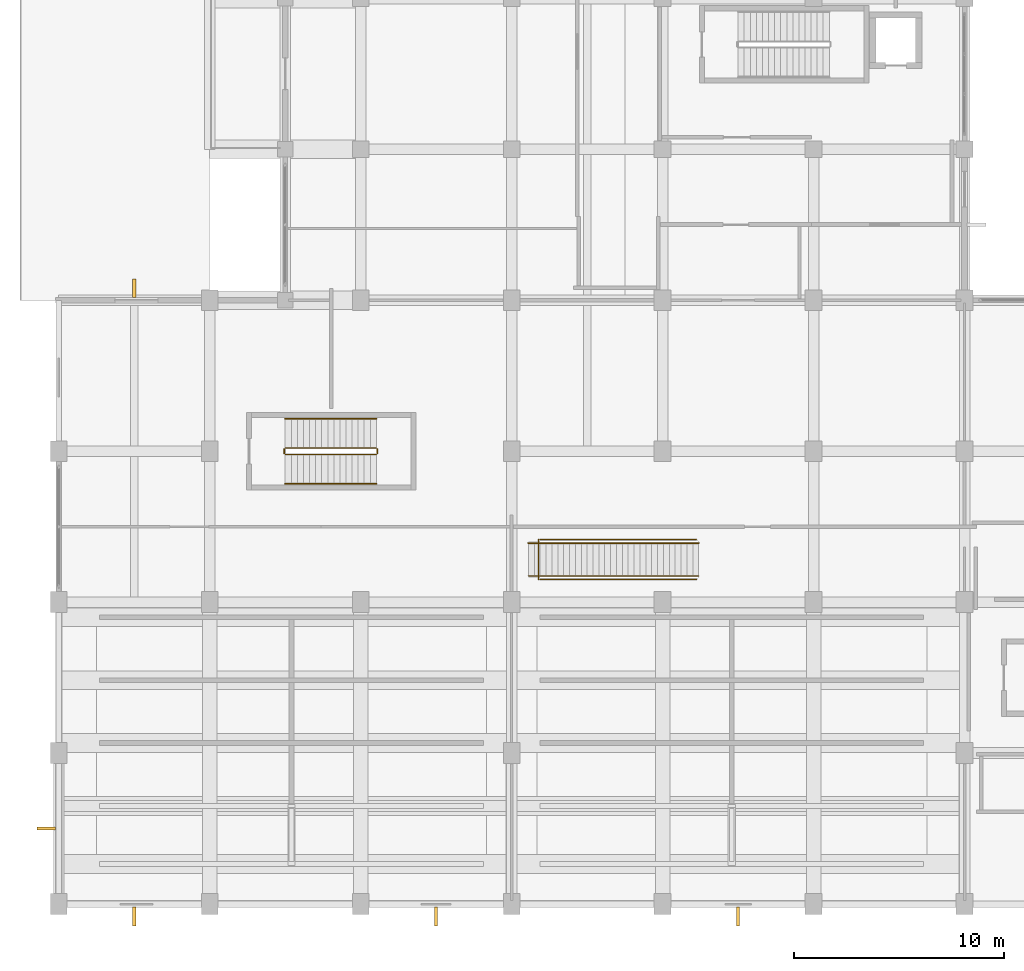
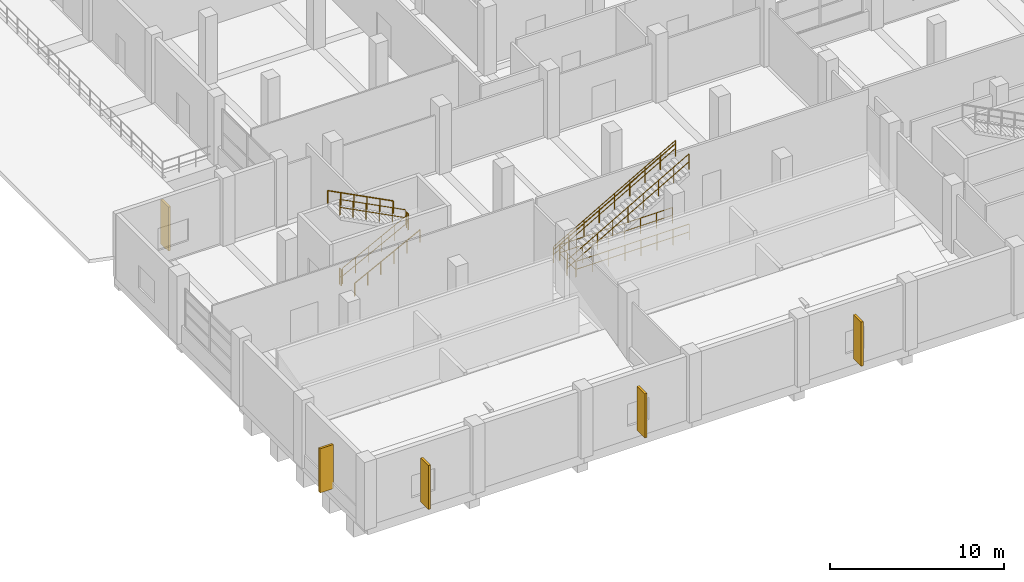
# One storey, part 132 of 140: 12 railings, 5 shading devices.
"""IFC4 building model written with IfcOpenShell, lengths in metres."""

from ifc_helpers import new_model, si_unit, direction, frame, origin, origin_2d, place, context, subcontext, project, spatial, rectangle, circle, extrude, material, type_object, element, save


model = new_model("IFC4")

# Units and contexts
model_context = context("Model", 3, precision=1e-05, world=origin(), true_north=direction((0.0, 1.0)))
body_context = subcontext(model_context, "Body", "Model", "MODEL_VIEW")
ifc_project = project(units=[si_unit("LENGTHUNIT", "METRE"), si_unit("AREAUNIT", "SQUARE_METRE"), si_unit("VOLUMEUNIT", "CUBIC_METRE"), si_unit("PLANEANGLEUNIT", "RADIAN"), si_unit("MASSUNIT", "GRAM", prefix="KILO")], contexts=[model_context])

# Site, building, storey
site_placement = place(None, origin())
site = spatial("IfcSite", under=ifc_project, at=site_placement, CompositionType="ELEMENT")
building_placement = place(site_placement, origin())
building = spatial("IfcBuilding", under=site, at=building_placement, Name="Seraya Terrace Polytechnic", CompositionType="ELEMENT")
storey_placement = place(building_placement, frame((0.0, 0.0, 9.60009765625)))
storey = spatial("IfcBuildingStorey", under=building, at=storey_placement, Name="L02", CompositionType="ELEMENT", Elevation=9.60009765625)

# Shading devices
ifc_material_1 = material(Name="Precast concrete C40/50", Category="concrete")
shading_device_type = type_object("IfcShadingDeviceType", Name="BS-F1", PredefinedType="JALOUSIE", material=ifc_material_1)
for number, where, z_axis, x_axis, name in (
    (1, (32.39990234375, -0.594970703125, 0.449951171875), (0.0, 0.0, 1.0), (0.0, -1.0, 0.0), "Precast concrete brise-soleil fin L02"),
    (2, (18.0, -0.594970703125, 0.449951171875), (0.0, 0.0, 1.0), (0.0, -1.0, 0.0), "Precast concrete brise-soleil fin L02"),
    (3, (3.60009765625, -0.594970703125, 0.449951171875), (0.0, 0.0, 1.0), (0.0, -1.0, 0.0), "Precast concrete brise-soleil fin L02"),
    (4, (-0.594970703125, 3.60009765625, 0.449951171875), (0.0, 0.0, 1.0), (-1.0, 0.0, 0.0), "Precast concrete brise-soleil fin L02"),
    (5, (3.60009765625, 29.3701171875, 0.449951171875), (0.0, 0.0, 1.0), (0.0, 1.0, 0.0), "Precast concrete brise-soleil fin L02"),
):
    element("IfcShadingDevice", number, at=place(storey_placement, frame(where, z_axis=z_axis, x_axis=x_axis)), inside=storey, type_object=shading_device_type, Name=name, PredefinedType="JALOUSIE", context=body_context, shape_type="SweptSolid", body=[
        extrude(rectangle(XDim=0.89990234375, YDim=0.14990234375, at=origin_2d()), origin(), (0.0, 0.0, 1.0), 3.10009765625),
    ])

# Railings
ifc_material_2 = material(Name="Steel S355J2", Category="steel")
railing_type_1 = type_object("IfcRailingType", Name="GR-02", PredefinedType="GUARDRAIL", material=ifc_material_2)
railing_1_placement = place(storey_placement, frame((10.800048828125, 21.449951171875, 0.14990234375)))
element("IfcRailing", 6, at=railing_1_placement, inside=storey, type_object=railing_type_1, Name="L02 ST-09 stair guard 1", PredefinedType="GUARDRAIL", context=body_context, shape_type="SweptSolid", body=[
    extrude(circle(Radius=0.02392578125, at=origin_2d()), frame((0.0, 0.0, 1.10595703125), z_axis=(0.888211329745, 0.0, 0.459435124596), x_axis=(0.0, 1.0, 0.0)), (0.0, 0.0, 1.0), 4.897216796875),
    extrude(circle(Radius=0.02392578125, at=origin_2d()), frame((0.0, 0.0, 0.550048828125), z_axis=(0.888211329745, 0.0, 0.459435124596), x_axis=(0.0, 1.0, 0.0)), (0.0, 0.0, 1.0), 4.897216796875),
    extrude(circle(Radius=0.02099609375, at=origin_2d()), origin(), (0.0, 0.0, 1.0), 1.081787109375),
    extrude(circle(Radius=0.02099609375, at=origin_2d()), frame((0.869873046875, 0.0, 0.449951171875)), (0.0, 0.0, 1.0), 1.081787109375),
    extrude(circle(Radius=0.02099609375, at=origin_2d()), frame((1.739990234375, 0.0, 0.89990234375)), (0.0, 0.0, 1.0), 1.081787109375),
    extrude(circle(Radius=0.02099609375, at=origin_2d()), frame((2.60986328125, 0.0, 1.35009765625)), (0.0, 0.0, 1.0), 1.081787109375),
    extrude(circle(Radius=0.02099609375, at=origin_2d()), frame((3.47998046875, 0.0, 1.800048828125)), (0.0, 0.0, 1.0), 1.081787109375),
    extrude(circle(Radius=0.02099609375, at=origin_2d()), frame((4.349853515625, 0.0, 2.25)), (0.0, 0.0, 1.0), 1.081787109375),
])
railing_2_placement = place(storey_placement, frame((15.199951171875, 21.5, 2.39990234375)))
element("IfcRailing", 7, at=railing_2_placement, inside=storey, type_object=railing_type_1, Name="L02 ST-09 stair guard 2", PredefinedType="GUARDRAIL", context=body_context, shape_type="SweptSolid", body=[
    extrude(circle(Radius=0.02392578125, at=origin_2d()), frame((0.0, 0.0, 1.10595703125), z_axis=(0.0, 1.0, 0.0), x_axis=(-1.0, 0.0, 0.0)), (0.0, 0.0, 1.0), 0.199951171875),
    extrude(circle(Radius=0.02392578125, at=origin_2d()), frame((0.0, 0.0, 0.550048828125), z_axis=(0.0, 1.0, 0.0), x_axis=(-1.0, 0.0, 0.0)), (0.0, 0.0, 1.0), 0.199951171875),
    extrude(circle(Radius=0.02099609375, at=origin_2d()), origin(), (0.0, 0.0, 1.0), 1.081787109375),
    extrude(circle(Radius=0.02099609375, at=origin_2d()), frame((0.0, 0.199951171875, 0.0)), (0.0, 0.0, 1.0), 1.081787109375),
])
railing_3_placement = place(storey_placement, frame((15.14990234375, 21.75, 2.5498046875)))
element("IfcRailing", 8, at=railing_3_placement, inside=storey, type_object=railing_type_1, Name="L02 ST-09 stair guard 3", PredefinedType="GUARDRAIL", context=body_context, shape_type="SweptSolid", body=[
    extrude(circle(Radius=0.02392578125, at=origin_2d()), frame((0.0, 0.0, 1.10595703125), z_axis=(-0.888211329745, 0.0, 0.459435124596), x_axis=(0.0, -1.0, 0.0)), (0.0, 0.0, 1.0), 4.897216796875),
    extrude(circle(Radius=0.02392578125, at=origin_2d()), frame((0.0, 0.0, 0.550048828125), z_axis=(-0.888211329745, 0.0, 0.459435124596), x_axis=(0.0, -1.0, 0.0)), (0.0, 0.0, 1.0), 4.897216796875),
    extrude(circle(Radius=0.02099609375, at=origin_2d()), origin(), (0.0, 0.0, 1.0), 1.081787109375),
    extrude(circle(Radius=0.02099609375, at=origin_2d()), frame((-0.869873046875, 0.0, 0.449951171875)), (0.0, 0.0, 1.0), 1.081787109375),
    extrude(circle(Radius=0.02099609375, at=origin_2d()), frame((-1.739990234375, 0.0, 0.89990234375)), (0.0, 0.0, 1.0), 1.081787109375),
    extrude(circle(Radius=0.02099609375, at=origin_2d()), frame((-2.60986328125, 0.0, 1.35009765625)), (0.0, 0.0, 1.0), 1.081787109375),
    extrude(circle(Radius=0.02099609375, at=origin_2d()), frame((-3.47998046875, 0.0, 1.800048828125)), (0.0, 0.0, 1.0), 1.081787109375),
    extrude(circle(Radius=0.02099609375, at=origin_2d()), frame((-4.349853515625, 0.0, 2.25)), (0.0, 0.0, 1.0), 1.081787109375),
])
railing_4_placement = place(storey_placement, frame((10.75, 21.5, 0.0)))
element("IfcRailing", 9, at=railing_4_placement, inside=storey, type_object=railing_type_1, Name="L02 ST-09 stair guard 4", PredefinedType="GUARDRAIL", context=body_context, shape_type="SweptSolid", body=[
    extrude(circle(Radius=0.02392578125, at=origin_2d()), frame((0.0, 0.0, 1.10595703125), z_axis=(0.0, 1.0, 0.0), x_axis=(-1.0, 0.0, 0.0)), (0.0, 0.0, 1.0), 0.199951171875),
    extrude(circle(Radius=0.02392578125, at=origin_2d()), frame((0.0, 0.0, 0.550048828125), z_axis=(0.0, 1.0, 0.0), x_axis=(-1.0, 0.0, 0.0)), (0.0, 0.0, 1.0), 0.199951171875),
    extrude(circle(Radius=0.02099609375, at=origin_2d()), origin(), (0.0, 0.0, 1.0), 1.081787109375),
    extrude(circle(Radius=0.02099609375, at=origin_2d()), frame((0.0, 0.199951171875, 0.0)), (0.0, 0.0, 1.0), 1.081787109375),
])
railing_5_placement = place(storey_placement, frame((22.8798828125, 15.47998046875, 0.0)))
element("IfcRailing", 10, at=railing_5_placement, inside=storey, type_object=railing_type_1, Name="ST-15 top opening guard L02.1", PredefinedType="GUARDRAIL", context=body_context, shape_type="SweptSolid", body=[
    extrude(circle(Radius=0.02392578125, at=origin_2d()), frame((0.0, 0.0, 1.10595703125), z_axis=(0.0, 1.0, 0.0), x_axis=(-1.0, 0.0, 0.0)), (0.0, 0.0, 1.0), 1.919921875),
    extrude(circle(Radius=0.02392578125, at=origin_2d()), frame((0.0, 0.0, 0.550048828125), z_axis=(0.0, 1.0, 0.0), x_axis=(-1.0, 0.0, 0.0)), (0.0, 0.0, 1.0), 1.919921875),
    extrude(circle(Radius=0.02099609375, at=origin_2d()), origin(), (0.0, 0.0, 1.0), 1.081787109375),
    extrude(circle(Radius=0.02099609375, at=origin_2d()), frame((0.0, 0.9599609375, 0.0)), (0.0, 0.0, 1.0), 1.081787109375),
    extrude(circle(Radius=0.02099609375, at=origin_2d()), frame((0.0, 1.919921875, 0.0)), (0.0, 0.0, 1.0), 1.081787109375),
])
for number, where, name in (
    (11, (22.93994140625, 15.47998046875, 0.0), "ST-15 top opening guard L02.2"),
    (12, (22.93994140625, 17.39990234375, 0.0), "ST-15 top opening guard L02.3"),
):
    element("IfcRailing", number, at=place(storey_placement, frame(where)), inside=storey, type_object=railing_type_1, Name=name, PredefinedType="GUARDRAIL", context=body_context, shape_type="SweptSolid", body=[
        extrude(circle(Radius=0.02392578125, at=origin_2d()), frame((0.0, 0.0, 1.10595703125), z_axis=(1.0, 0.0, 0.0), x_axis=(0.0, 1.0, 0.0)), (0.0, 0.0, 1.0), 7.47998046875),
        extrude(circle(Radius=0.02392578125, at=origin_2d()), frame((0.0, 0.0, 0.550048828125), z_axis=(1.0, 0.0, 0.0), x_axis=(0.0, 1.0, 0.0)), (0.0, 0.0, 1.0), 7.47998046875),
        extrude(circle(Radius=0.02099609375, at=origin_2d()), origin(), (0.0, 0.0, 1.0), 1.081787109375),
        extrude(circle(Radius=0.02099609375, at=origin_2d()), frame((1.068603515625, 0.0, 0.0)), (0.0, 0.0, 1.0), 1.081787109375),
        extrude(circle(Radius=0.02099609375, at=origin_2d()), frame((2.13720703125, 0.0, 0.0)), (0.0, 0.0, 1.0), 1.081787109375),
        extrude(circle(Radius=0.02099609375, at=origin_2d()), frame((3.205810546875, 0.0, 0.0)), (0.0, 0.0, 1.0), 1.081787109375),
        extrude(circle(Radius=0.02099609375, at=origin_2d()), frame((4.274169921875, 0.0, 0.0)), (0.0, 0.0, 1.0), 1.081787109375),
        extrude(circle(Radius=0.02099609375, at=origin_2d()), frame((5.3427734375, 0.0, 0.0)), (0.0, 0.0, 1.0), 1.081787109375),
        extrude(circle(Radius=0.02099609375, at=origin_2d()), frame((6.411376953125, 0.0, 0.0)), (0.0, 0.0, 1.0), 1.081787109375),
        extrude(circle(Radius=0.02099609375, at=origin_2d()), frame((7.47998046875, 0.0, 0.0)), (0.0, 0.0, 1.0), 1.081787109375),
    ])
for number, where, name in (
    (13, (22.39990234375, 15.659912109375, 0.159912109375), "ST-15 flight guard L02"),
    (14, (22.39990234375, 17.219970703125, 0.159912109375), "ST-15 flight outer guard L02"),
):
    element("IfcRailing", number, at=place(storey_placement, frame(where)), inside=storey, type_object=railing_type_1, Name=name, PredefinedType="GUARDRAIL", context=body_context, shape_type="SweptSolid", body=[
        extrude(circle(Radius=0.02392578125, at=origin_2d()), frame((0.0, 0.0, 1.10595703125), z_axis=(0.868251174308, 0.0, 0.496124881772), x_axis=(0.0, 1.0, 0.0)), (0.0, 0.0, 1.0), 9.352294921875),
        extrude(circle(Radius=0.02392578125, at=origin_2d()), frame((0.0, 0.0, 0.550048828125), z_axis=(0.868251174308, 0.0, 0.496124881772), x_axis=(0.0, 1.0, 0.0)), (0.0, 0.0, 1.0), 9.352294921875),
        extrude(circle(Radius=0.02099609375, at=origin_2d()), origin(), (0.0, 0.0, 1.0), 1.081787109375),
        extrude(circle(Radius=0.02099609375, at=origin_2d()), frame((1.01513671875, 0.0, 0.580078125)), (0.0, 0.0, 1.0), 1.081787109375),
        extrude(circle(Radius=0.02099609375, at=origin_2d()), frame((2.030029296875, 0.0, 1.159912109375)), (0.0, 0.0, 1.0), 1.081787109375),
        extrude(circle(Radius=0.02099609375, at=origin_2d()), frame((3.044921875, 0.0, 1.739990234375)), (0.0, 0.0, 1.0), 1.081787109375),
        extrude(circle(Radius=0.02099609375, at=origin_2d()), frame((4.06005859375, 0.0, 2.31982421875)), (0.0, 0.0, 1.0), 1.081787109375),
        extrude(circle(Radius=0.02099609375, at=origin_2d()), frame((5.0751953125, 0.0, 2.89990234375)), (0.0, 0.0, 1.0), 1.081787109375),
        extrude(circle(Radius=0.02099609375, at=origin_2d()), frame((6.090087890625, 0.0, 3.47998046875)), (0.0, 0.0, 1.0), 1.081787109375),
        extrude(circle(Radius=0.02099609375, at=origin_2d()), frame((7.10498046875, 0.0, 4.059814453125)), (0.0, 0.0, 1.0), 1.081787109375),
        extrude(circle(Radius=0.02099609375, at=origin_2d()), frame((8.1201171875, 0.0, 4.639892578125)), (0.0, 0.0, 1.0), 1.081787109375),
    ])
railing_type_2 = type_object("IfcRailingType", Name="HR-01", PredefinedType="HANDRAIL", material=ifc_material_2)
railing_6_placement = place(storey_placement, frame((10.800048828125, 20.050048828125, 0.14990234375)))
element("IfcRailing", 15, at=railing_6_placement, inside=storey, type_object=railing_type_2, Name="L02 ST-09 stair handrail 1", PredefinedType="HANDRAIL", context=body_context, shape_type="SweptSolid", body=[
    extrude(circle(Radius=0.02392578125, at=origin_2d()), frame((0.0, 0.0, 0.8759765625), z_axis=(0.888211329745, 0.0, 0.459435124596), x_axis=(0.0, 1.0, 0.0)), (0.0, 0.0, 1.0), 4.897216796875),
    extrude(circle(Radius=0.02099609375, at=origin_2d()), origin(), (0.0, 0.0, 1.0), 0.851806640625),
    extrude(circle(Radius=0.02099609375, at=origin_2d()), frame((0.869873046875, 0.0, 0.449951171875)), (0.0, 0.0, 1.0), 0.851806640625),
    extrude(circle(Radius=0.02099609375, at=origin_2d()), frame((1.739990234375, 0.0, 0.89990234375)), (0.0, 0.0, 1.0), 0.851806640625),
    extrude(circle(Radius=0.02099609375, at=origin_2d()), frame((2.60986328125, 0.0, 1.35009765625)), (0.0, 0.0, 1.0), 0.851806640625),
    extrude(circle(Radius=0.02099609375, at=origin_2d()), frame((3.47998046875, 0.0, 1.800048828125)), (0.0, 0.0, 1.0), 0.851806640625),
    extrude(circle(Radius=0.02099609375, at=origin_2d()), frame((4.349853515625, 0.0, 2.25)), (0.0, 0.0, 1.0), 0.851806640625),
])
railing_7_placement = place(storey_placement, frame((15.14990234375, 23.14990234375, 2.5498046875)))
element("IfcRailing", 16, at=railing_7_placement, inside=storey, type_object=railing_type_2, Name="L02 ST-09 stair handrail 2", PredefinedType="HANDRAIL", context=body_context, shape_type="SweptSolid", body=[
    extrude(circle(Radius=0.02392578125, at=origin_2d()), frame((0.0, 0.0, 0.8759765625), z_axis=(-0.888211329745, 0.0, 0.459435124596), x_axis=(0.0, -1.0, 0.0)), (0.0, 0.0, 1.0), 4.897216796875),
    extrude(circle(Radius=0.02099609375, at=origin_2d()), origin(), (0.0, 0.0, 1.0), 0.851806640625),
    extrude(circle(Radius=0.02099609375, at=origin_2d()), frame((-0.869873046875, 0.0, 0.449951171875)), (0.0, 0.0, 1.0), 0.851806640625),
    extrude(circle(Radius=0.02099609375, at=origin_2d()), frame((-1.739990234375, 0.0, 0.89990234375)), (0.0, 0.0, 1.0), 0.851806640625),
    extrude(circle(Radius=0.02099609375, at=origin_2d()), frame((-2.60986328125, 0.0, 1.35009765625)), (0.0, 0.0, 1.0), 0.851806640625),
    extrude(circle(Radius=0.02099609375, at=origin_2d()), frame((-3.47998046875, 0.0, 1.800048828125)), (0.0, 0.0, 1.0), 0.851806640625),
    extrude(circle(Radius=0.02099609375, at=origin_2d()), frame((-4.349853515625, 0.0, 2.25)), (0.0, 0.0, 1.0), 0.851806640625),
])
railing_8_placement = place(storey_placement, frame((22.39990234375, 17.219970703125, 0.159912109375)))
element("IfcRailing", 17, at=railing_8_placement, inside=storey, type_object=railing_type_2, Name="ST-15 handrail L02", PredefinedType="HANDRAIL", context=body_context, shape_type="SweptSolid", body=[
    extrude(circle(Radius=0.02392578125, at=origin_2d()), frame((0.0, 0.0, 0.8759765625), z_axis=(0.868251174308, 0.0, 0.496124881772), x_axis=(0.0, 1.0, 0.0)), (0.0, 0.0, 1.0), 9.352294921875),
    extrude(circle(Radius=0.02099609375, at=origin_2d()), origin(), (0.0, 0.0, 1.0), 0.851806640625),
    extrude(circle(Radius=0.02099609375, at=origin_2d()), frame((1.01513671875, 0.0, 0.580078125)), (0.0, 0.0, 1.0), 0.851806640625),
    extrude(circle(Radius=0.02099609375, at=origin_2d()), frame((2.030029296875, 0.0, 1.159912109375)), (0.0, 0.0, 1.0), 0.851806640625),
    extrude(circle(Radius=0.02099609375, at=origin_2d()), frame((3.044921875, 0.0, 1.739990234375)), (0.0, 0.0, 1.0), 0.851806640625),
    extrude(circle(Radius=0.02099609375, at=origin_2d()), frame((4.06005859375, 0.0, 2.31982421875)), (0.0, 0.0, 1.0), 0.851806640625),
    extrude(circle(Radius=0.02099609375, at=origin_2d()), frame((5.0751953125, 0.0, 2.89990234375)), (0.0, 0.0, 1.0), 0.851806640625),
    extrude(circle(Radius=0.02099609375, at=origin_2d()), frame((6.090087890625, 0.0, 3.47998046875)), (0.0, 0.0, 1.0), 0.851806640625),
    extrude(circle(Radius=0.02099609375, at=origin_2d()), frame((7.10498046875, 0.0, 4.059814453125)), (0.0, 0.0, 1.0), 0.851806640625),
    extrude(circle(Radius=0.02099609375, at=origin_2d()), frame((8.1201171875, 0.0, 4.639892578125)), (0.0, 0.0, 1.0), 0.851806640625),
])

save(model, "model.ifc")
